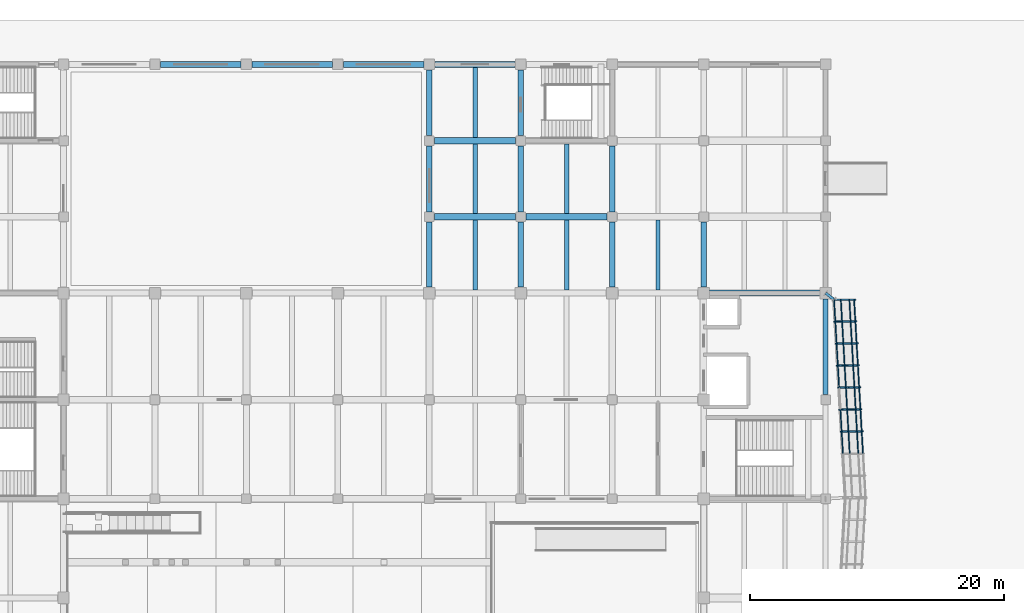
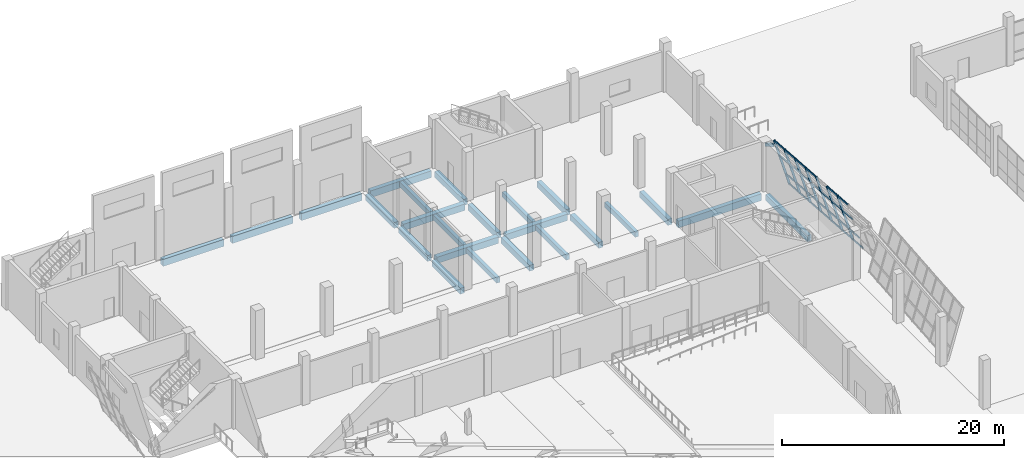
# One storey, part 32 of 78: 34 members, 25 beams, 1 element without a shape of its own.
"""IFC4 building model written with IfcOpenShell, lengths in metres."""

import ifcopenshell
import ifcopenshell.guid

model = None  # the IFC model being written
_history = None  # IfcOwnerHistory: only IFC2X3 demands one
_inside = {}  # id of a spatial element -> (the spatial element, [elements in it])
_under = {}  # id of a project, library or spatial element -> (it, [spatial elements below it])
_declared = {}  # id of a project -> (the project, [libraries it declares])
_typed = {}  # id of a type object -> (the type object, [elements of that type])
_made_of = {}  # id of a material, layer set ... -> (it, [elements and type objects made of it])


def new_model(schema):
    """Start an empty IFC model of exactly this schema.

    Asked for "IFC4X3", IfcOpenShell would pick the latest addendum, in which some entities
    have other attributes; the version numbers below select the first issue.
    IFC2X3 requires an IfcOwnerHistory on every rooted entity: one is made here for all.
    """
    global model, _history
    if schema == "IFC4X3":
        model = ifcopenshell.file(schema_version=(4, 3, 0, 0))
    else:
        model = ifcopenshell.file(schema=schema)
    _inside.clear()
    _under.clear()
    _declared.clear()
    _typed.clear()
    _made_of.clear()
    _history = None
    if model.schema == "IFC2X3":
        org = make("IfcOrganization", Name="unknown")
        user = make(
            "IfcPersonAndOrganization",
            ThePerson=make("IfcPerson", FamilyName="unknown"),
            TheOrganization=org,
        )
        app = make(
            "IfcApplication",
            ApplicationDeveloper=org,
            Version="unknown",
            ApplicationFullName="unknown",
            ApplicationIdentifier="unknown",
        )
        _history = make(
            "IfcOwnerHistory",
            OwningUser=user,
            OwningApplication=app,
            ChangeAction="ADDED",
            CreationDate=0,
        )
    return model


def make(cls, **values):
    """One entity of the class cls with the attributes given. An attribute that is None is left unset."""
    return model.create_entity(
        cls, **{name: value for name, value in values.items() if value is not None}
    )


def rooted(cls, **values):
    """An entity with a GlobalId (a new one), such as an element, a storey or a relation."""
    return make(cls, GlobalId=ifcopenshell.guid.new(), OwnerHistory=_history, **values)


def si_unit(unit_type, name, prefix=None):
    """IfcSIUnit, for example si_unit("LENGTHUNIT", "METRE", prefix="MILLI")."""
    return make("IfcSIUnit", UnitType=unit_type, Prefix=prefix, Name=name)


def assignment(units):
    """IfcUnitAssignment: the units of a project."""
    return None if units is None else make("IfcUnitAssignment", Units=units)


def point(xyz):
    """IfcCartesianPoint."""
    return None if xyz is None else make("IfcCartesianPoint", Coordinates=xyz)


def direction(xyz):
    """IfcDirection."""
    return None if xyz is None else make("IfcDirection", DirectionRatios=xyz)


def frame(location, z_axis=None, x_axis=None):
    """IfcAxis2Placement3D, a coordinate frame: its origin and axes. An axis left out is left unset."""
    return make(
        "IfcAxis2Placement3D",
        Location=point(location),
        Axis=direction(z_axis),
        RefDirection=direction(x_axis),
    )


def frame_2d(location, x_axis=None):
    """IfcAxis2Placement2D, a coordinate frame in the plane: its origin and x axis."""
    return make(
        "IfcAxis2Placement2D", Location=point(location), RefDirection=direction(x_axis)
    )


def origin():
    """The frame at (0, 0, 0) with its axes left unset."""
    return frame((0.0, 0.0, 0.0))


def origin_2d():
    """The frame at (0, 0) in the plane with its x axis left unset."""
    return frame_2d((0.0, 0.0))


def place(relative_to, where):
    """IfcLocalPlacement: puts the frame where relative to a parent placement (None: the world)."""
    return make(
        "IfcLocalPlacement", PlacementRelTo=relative_to, RelativePlacement=where
    )


def context(
    kind, dimensions, precision=None, world=None, true_north=None, identifier=None
):
    """IfcGeometricRepresentationContext, for example the 3D "Model" context."""
    return make(
        "IfcGeometricRepresentationContext",
        ContextIdentifier=identifier,
        ContextType=kind,
        CoordinateSpaceDimension=dimensions,
        Precision=precision,
        WorldCoordinateSystem=world,
        TrueNorth=true_north,
    )


def subcontext(parent, identifier, kind, view, scale=None):
    """IfcGeometricRepresentationSubContext, for example "Body" below "Model"."""
    return make(
        "IfcGeometricRepresentationSubContext",
        ContextIdentifier=identifier,
        ContextType=kind,
        ParentContext=parent,
        TargetScale=scale,
        TargetView=view,
    )


def project(units=None, contexts=None):
    """IfcProject with its units and contexts."""
    return rooted(
        "IfcProject",
        Name="project",
        RepresentationContexts=contexts,
        UnitsInContext=assignment(units),
    )


def spatial(cls, under=None, at=None, **own):
    """A site, building, storey or space (cls), placed at a placement, below another one or the project."""
    s = rooted(cls, ObjectPlacement=at, **own)
    if under is not None:
        _under.setdefault(under.id(), (under, []))[1].append(s)
    return s


def profile(cls, at=None, kind="AREA", **sizes):
    """A parametric profile (cls). Its sizes go by their IFC names, for example OverallWidth=200.0."""
    return make(cls, ProfileType=kind, Position=at, **sizes)


def rectangle(**sizes):
    """IfcRectangleProfileDef."""
    return profile("IfcRectangleProfileDef", **sizes)


def hollow_rectangle(**sizes):
    """IfcRectangleHollowProfileDef."""
    return profile("IfcRectangleHollowProfileDef", **sizes)


def extrude(swept, where, along, depth):
    """IfcExtrudedAreaSolid: the profile swept, set in the frame where, extruded along a direction by depth."""
    return make(
        "IfcExtrudedAreaSolid",
        SweptArea=swept,
        Position=where,
        ExtrudedDirection=direction(along),
        Depth=depth,
    )


def shape(context_of_items, identifier, shape_type, items):
    """IfcShapeRepresentation: the items that make up one representation, for example the "Body"."""
    return make(
        "IfcShapeRepresentation",
        ContextOfItems=context_of_items,
        RepresentationIdentifier=identifier,
        RepresentationType=shape_type,
        Items=items,
    )


def material(Name=None, Category=None):
    """IfcMaterial."""
    return make("IfcMaterial", Name=Name, Category=Category)


def material_profile(
    of_material, cross_section, Name=None, Category=None, Priority=None
):
    """IfcMaterialProfile: a cross section and its material."""
    return make(
        "IfcMaterialProfile",
        Name=Name,
        Material=of_material,
        Profile=cross_section,
        Priority=Priority,
        Category=Category,
    )


def profile_set(profiles, Name=None, composite=None):
    """IfcMaterialProfileSet."""
    return make(
        "IfcMaterialProfileSet",
        Name=Name,
        MaterialProfiles=profiles,
        CompositeProfile=composite,
    )


def made_of(thing, what):
    """Note that an element or type object is made of a material, layer set ...; save() writes the relation."""
    if what is not None:
        _made_of.setdefault(what.id(), (what, []))[1].append(thing)
    return thing


def type_object(cls, material=None, **own):
    """A type object (cls), such as IfcWallType, which elements share."""
    return made_of(rooted(cls, **own), material)


def element(
    cls,
    number,
    at=None,
    inside=None,
    cuts=None,
    type_object=None,
    material=None,
    context=None,
    identifier="Body",
    shape_type=None,
    held_by="IfcProductDefinitionShape",
    body=None,
    shapes=None,
    **own,
):
    """One element of the class cls, such as IfcWall. Its Tag is "e" and its number.

    at: its placement. inside: the storey or other place that contains it. cuts: it is an
    opening in that element (IfcRelVoidsElement). A single representation is given by context,
    identifier, shape_type and body (its items); several are given by shapes. held_by: the class
    of the entity that holds the representations. save() writes the other relations.
    """
    e = rooted(cls, Tag="e%d" % number, ObjectPlacement=at, **own)
    if body is not None:
        shapes = [shape(context, identifier, shape_type, body)]
    if shapes is not None:
        e.Representation = make(held_by, Representations=shapes)
    if inside is not None:
        _inside.setdefault(inside.id(), (inside, []))[1].append(e)
    if cuts is not None:
        rooted(
            "IfcRelVoidsElement", RelatingBuildingElement=cuts, RelatedOpeningElement=e
        )
    if type_object is not None:
        _typed.setdefault(type_object.id(), (type_object, []))[1].append(e)
    return made_of(e, material)


def aggregate(whole, parts):
    """IfcRelAggregates: a whole, such as a stair, and the parts it consists of."""
    return rooted("IfcRelAggregates", RelatingObject=whole, RelatedObjects=parts)


def save(model, path):
    """Write the relations noted so far, then the file.

    IfcRelAggregates (storeys below a building ...), IfcRelContainedInSpatialStructure (elements
    in a storey), IfcRelDefinesByType, IfcRelAssociatesMaterial and IfcRelDeclares: one each for
    every whole, place, type object, material and project.
    """
    for whole, parts in _under.values():
        aggregate(whole, parts)
    for where, things in _inside.values():
        rooted(
            "IfcRelContainedInSpatialStructure",
            RelatedElements=things,
            RelatingStructure=where,
        )
    for kind, things in _typed.values():
        rooted("IfcRelDefinesByType", RelatedObjects=things, RelatingType=kind)
    for what, things in _made_of.values():
        rooted("IfcRelAssociatesMaterial", RelatedObjects=things, RelatingMaterial=what)
    for by, libraries in _declared.values():
        rooted("IfcRelDeclares", RelatingContext=by, RelatedDefinitions=libraries)
    model.write(path)


model = new_model("IFC4")

# Units and contexts
model_context = context("Model", 3, precision=1e-05, world=origin(), true_north=direction((0.0, 1.0)))
body_context = subcontext(model_context, "Body", "Model", "MODEL_VIEW")
ifc_project = project(units=[si_unit("LENGTHUNIT", "METRE"), si_unit("AREAUNIT", "SQUARE_METRE"), si_unit("VOLUMEUNIT", "CUBIC_METRE"), si_unit("PLANEANGLEUNIT", "RADIAN"), si_unit("MASSUNIT", "GRAM", prefix="KILO")], contexts=[model_context])

# Site, building, storey
site_placement = place(None, origin())
site = spatial("IfcSite", under=ifc_project, at=site_placement, CompositionType="ELEMENT")
building_placement = place(site_placement, origin())
building = spatial("IfcBuilding", under=site, at=building_placement, Name="Pellamere Symphony Hall", CompositionType="ELEMENT")
storey_placement = place(building_placement, origin())
storey = spatial("IfcBuildingStorey", under=building, at=storey_placement, Name="L00", CompositionType="ELEMENT", Elevation=0.0)

# Curtain wall, members
ifc_material_1 = material(Name="Thermally Broken Anodised Aluminium 6063-T6 Curtain Wall", Category="aluminium")
curtain_wall_type = type_object("IfcCurtainWallType", Name="Curtain Wall CW-01 (Tilted Faceted Crystal Low-Iron Curtain Wall)", PredefinedType="NOTDEFINED", material=ifc_material_1)
curtain_wall_placement = place(storey_placement, origin())
curtain_wall = element("IfcCurtainWall", 1, at=curtain_wall_placement, inside=storey, type_object=curtain_wall_type, Name="Crystal Faceted Curtain Wall CW-CR09 (L00)", PredefinedType="NOTDEFINED")
ifc_material_2 = material(Name="Anodised Architectural Aluminium 6063-T6", Category="aluminium")
ifc_material_profile_1 = material_profile(ifc_material_2, hollow_rectangle(XDim=0.074951171875, YDim=0.219970703125, WallThickness=0.0048828125, at=origin_2d()), Name="ALU-M75X220X5")
ifc_profile_set_1 = profile_set([ifc_material_profile_1], Name="Anodised Architectural Aluminium 6063-T6")
member_type_1 = type_object("IfcMemberType", Name="Curtain Wall Mullion ML-01 ALU-M75X220X5", PredefinedType="MULLION", material=ifc_profile_set_1)
member_1_placement = place(storey_placement, frame((121.649658203125, 82.699951171875, 0.0), z_axis=(-0.284029290042, 0.0, 0.958815603961), x_axis=(-0.055224456577, 0.998339941676, -0.01635910297)))
member_1 = element("IfcMember", 2, at=member_1_placement, type_object=member_type_1, Name="CW1-017 crystal mullion 4", PredefinedType="MULLION", context=body_context, shape_type="SweptSolid", body=[
    extrude(hollow_rectangle(XDim=0.074951171875, YDim=0.219970703125, WallThickness=0.0048828125, at=origin_2d()), origin(), (0.0, 0.0, 1.0), 5.6318359375),
])
member_2_placement = place(storey_placement, frame((121.549560546875, 84.433349609375, 0.0), z_axis=(-0.284029290042, 0.0, 0.958815603961), x_axis=(-0.055224456577, 0.998339941676, -0.01635910297)))
member_2 = element("IfcMember", 3, at=member_2_placement, type_object=member_type_1, Name="CW1-017 crystal mullion 5", PredefinedType="MULLION", context=body_context, shape_type="SweptSolid", body=[
    extrude(hollow_rectangle(XDim=0.074951171875, YDim=0.219970703125, WallThickness=0.0048828125, at=origin_2d()), origin(), (0.0, 0.0, 1.0), 5.6318359375),
])
member_3_placement = place(storey_placement, frame((121.44970703125, 86.166748046875, 0.0), z_axis=(-0.284029290042, 0.0, 0.958815603961), x_axis=(-0.055224456577, 0.998339941676, -0.01635910297)))
member_3 = element("IfcMember", 4, at=member_3_placement, type_object=member_type_1, Name="CW1-017 crystal mullion 6", PredefinedType="MULLION", context=body_context, shape_type="SweptSolid", body=[
    extrude(hollow_rectangle(XDim=0.074951171875, YDim=0.219970703125, WallThickness=0.0048828125, at=origin_2d()), origin(), (0.0, 0.0, 1.0), 5.6318359375),
])
member_4_placement = place(storey_placement, frame((121.349609375, 87.89990234375, 0.0), z_axis=(-0.284029290042, 0.0, 0.958815603961), x_axis=(-0.055224456577, 0.998339941676, -0.01635910297)))
member_4 = element("IfcMember", 5, at=member_4_placement, type_object=member_type_1, Name="CW1-017 crystal mullion 7", PredefinedType="MULLION", context=body_context, shape_type="SweptSolid", body=[
    extrude(hollow_rectangle(XDim=0.074951171875, YDim=0.219970703125, WallThickness=0.0048828125, at=origin_2d()), origin(), (0.0, 0.0, 1.0), 5.6318359375),
])
member_5_placement = place(storey_placement, frame((121.24951171875, 89.63330078125, 0.0), z_axis=(-0.284029290042, 0.0, 0.958815603961), x_axis=(-0.055224456577, 0.998339941676, -0.01635910297)))
member_5 = element("IfcMember", 6, at=member_5_placement, type_object=member_type_1, Name="CW1-017 crystal mullion 8", PredefinedType="MULLION", context=body_context, shape_type="SweptSolid", body=[
    extrude(hollow_rectangle(XDim=0.074951171875, YDim=0.219970703125, WallThickness=0.0048828125, at=origin_2d()), origin(), (0.0, 0.0, 1.0), 5.6318359375),
])
member_6_placement = place(storey_placement, frame((121.149658203125, 91.36669921875, 0.0), z_axis=(-0.284029290042, 0.0, 0.958815603961), x_axis=(-0.055224456577, 0.998339941676, -0.01635910297)))
member_6 = element("IfcMember", 7, at=member_6_placement, type_object=member_type_1, Name="CW1-017 crystal mullion 9", PredefinedType="MULLION", context=body_context, shape_type="SweptSolid", body=[
    extrude(hollow_rectangle(XDim=0.074951171875, YDim=0.219970703125, WallThickness=0.0048828125, at=origin_2d()), origin(), (0.0, 0.0, 1.0), 5.6318359375),
])
member_7_placement = place(storey_placement, frame((121.0517578125, 93.0625, 0.0), z_axis=(-0.284029290042, 0.0, 0.958815603961), x_axis=(-0.055224456577, 0.998339941676, -0.01635910297)))
member_7 = element("IfcMember", 8, at=member_7_placement, type_object=member_type_1, Name="CW1-017 crystal mullion 10", PredefinedType="MULLION", context=body_context, shape_type="SweptSolid", body=[
    extrude(hollow_rectangle(XDim=0.074951171875, YDim=0.219970703125, WallThickness=0.0048828125, at=origin_2d()), origin(), (0.0, 0.0, 1.0), 5.6318359375),
])
ifc_material_profile_2 = material_profile(ifc_material_2, hollow_rectangle(XDim=0.074951171875, YDim=0.179931640625, WallThickness=0.0048828125, at=origin_2d()), Name="ALU-T75X180X5")
ifc_profile_set_2 = profile_set([ifc_material_profile_2], Name="Anodised Architectural Aluminium 6063-T6")
member_type_2 = type_object("IfcMemberType", Name="Curtain Wall Transom TR-01 ALU-T75X180X5", PredefinedType="USERDEFINED", material=ifc_profile_set_2)
member_8_placement = place(storey_placement, frame((121.73681640625, 81.004150390625, 0.035888671875), z_axis=(-0.057610619545, 0.998339129012, 0.0), x_axis=(-0.998339129012, -0.057610619545, 0.0)))
member_8 = element("IfcMember", 9, at=member_8_placement, type_object=member_type_2, Name="CW1-017 crystal transom 3.1", ObjectType="TRANSOM", PredefinedType="USERDEFINED", context=body_context, shape_type="SweptSolid", body=[
    extrude(hollow_rectangle(XDim=0.074951171875, YDim=0.179931640625, WallThickness=0.0048828125, at=origin_2d()), origin(), (0.0, 0.0, 1.0), 1.6611328125),
])
member_9_placement = place(storey_placement, frame((121.363525390625, 81.004150390625, 1.2958984375), z_axis=(-0.057610619545, 0.998339129012, 0.0), x_axis=(-0.998339129012, -0.057610619545, 0.0)))
member_9 = element("IfcMember", 10, at=member_9_placement, type_object=member_type_2, Name="CW1-017 crystal transom 3.2", ObjectType="TRANSOM", PredefinedType="USERDEFINED", context=body_context, shape_type="SweptSolid", body=[
    extrude(hollow_rectangle(XDim=0.074951171875, YDim=0.179931640625, WallThickness=0.0048828125, at=origin_2d()), origin(), (0.0, 0.0, 1.0), 1.6611328125),
])
member_10_placement = place(storey_placement, frame((120.691650390625, 81.004150390625, 3.56396484375), z_axis=(-0.057610619545, 0.998339129012, 0.0), x_axis=(-0.998339129012, -0.057610619545, 0.0)))
member_10 = element("IfcMember", 11, at=member_10_placement, type_object=member_type_2, Name="CW1-017 crystal transom 3.3", ObjectType="TRANSOM", PredefinedType="USERDEFINED", context=body_context, shape_type="SweptSolid", body=[
    extrude(hollow_rectangle(XDim=0.074951171875, YDim=0.179931640625, WallThickness=0.0048828125, at=origin_2d()), origin(), (0.0, 0.0, 1.0), 1.6611328125),
])
member_11_placement = place(storey_placement, frame((120.158447265625, 81.004150390625, 5.364013671875), z_axis=(-0.057610619545, 0.998339129012, 0.0), x_axis=(-0.998339129012, -0.057610619545, 0.0)))
member_11 = element("IfcMember", 12, at=member_11_placement, type_object=member_type_2, Name="CW1-017 crystal transom 3.4", ObjectType="TRANSOM", PredefinedType="USERDEFINED", context=body_context, shape_type="SweptSolid", body=[
    extrude(hollow_rectangle(XDim=0.074951171875, YDim=0.179931640625, WallThickness=0.0048828125, at=origin_2d()), origin(), (0.0, 0.0, 1.0), 1.6611328125),
])
member_12_placement = place(storey_placement, frame((121.63671875, 82.737548828125, 0.035888671875), z_axis=(-0.057610619545, 0.998339129012, 0.0), x_axis=(-0.998339129012, -0.057610619545, 0.0)))
member_12 = element("IfcMember", 13, at=member_12_placement, type_object=member_type_2, Name="CW1-017 crystal transom 4.1", ObjectType="TRANSOM", PredefinedType="USERDEFINED", context=body_context, shape_type="SweptSolid", body=[
    extrude(hollow_rectangle(XDim=0.074951171875, YDim=0.179931640625, WallThickness=0.0048828125, at=origin_2d()), origin(), (0.0, 0.0, 1.0), 1.6611328125),
])
member_13_placement = place(storey_placement, frame((121.263427734375, 82.737548828125, 1.2958984375), z_axis=(-0.057464139598, 0.998347571069, 0.0), x_axis=(-0.998347571069, -0.057464139598, 0.0)))
member_13 = element("IfcMember", 14, at=member_13_placement, type_object=member_type_2, Name="CW1-017 crystal transom 4.2", ObjectType="TRANSOM", PredefinedType="USERDEFINED", context=body_context, shape_type="SweptSolid", body=[
    extrude(hollow_rectangle(XDim=0.074951171875, YDim=0.179931640625, WallThickness=0.0048828125, at=origin_2d()), origin(), (0.0, 0.0, 1.0), 1.6611328125),
])
member_14_placement = place(storey_placement, frame((120.591796875, 82.737548828125, 3.56396484375), z_axis=(-0.057610619545, 0.998339129012, 0.0), x_axis=(-0.998339129012, -0.057610619545, 0.0)))
member_14 = element("IfcMember", 15, at=member_14_placement, type_object=member_type_2, Name="CW1-017 crystal transom 4.3", ObjectType="TRANSOM", PredefinedType="USERDEFINED", context=body_context, shape_type="SweptSolid", body=[
    extrude(hollow_rectangle(XDim=0.074951171875, YDim=0.179931640625, WallThickness=0.0048828125, at=origin_2d()), origin(), (0.0, 0.0, 1.0), 1.6611328125),
])
member_15_placement = place(storey_placement, frame((120.05859375, 82.737548828125, 5.364013671875), z_axis=(-0.057610619545, 0.998339129012, 0.0), x_axis=(-0.998339129012, -0.057610619545, 0.0)))
member_15 = element("IfcMember", 16, at=member_15_placement, type_object=member_type_2, Name="CW1-017 crystal transom 4.4", ObjectType="TRANSOM", PredefinedType="USERDEFINED", context=body_context, shape_type="SweptSolid", body=[
    extrude(hollow_rectangle(XDim=0.074951171875, YDim=0.179931640625, WallThickness=0.0048828125, at=origin_2d()), origin(), (0.0, 0.0, 1.0), 1.6611328125),
])
member_16_placement = place(storey_placement, frame((121.536865234375, 84.470703125, 0.035888671875), z_axis=(-0.057610619545, 0.998339129012, 0.0), x_axis=(-0.998339129012, -0.057610619545, 0.0)))
member_16 = element("IfcMember", 17, at=member_16_placement, type_object=member_type_2, Name="CW1-017 crystal transom 5.1", ObjectType="TRANSOM", PredefinedType="USERDEFINED", context=body_context, shape_type="SweptSolid", body=[
    extrude(hollow_rectangle(XDim=0.074951171875, YDim=0.179931640625, WallThickness=0.0048828125, at=origin_2d()), origin(), (0.0, 0.0, 1.0), 1.6611328125),
])
member_17_placement = place(storey_placement, frame((121.16357421875, 84.470703125, 1.2958984375), z_axis=(-0.057610619545, 0.998339129012, 0.0), x_axis=(-0.998339129012, -0.057610619545, 0.0)))
member_17 = element("IfcMember", 18, at=member_17_placement, type_object=member_type_2, Name="CW1-017 crystal transom 5.2", ObjectType="TRANSOM", PredefinedType="USERDEFINED", context=body_context, shape_type="SweptSolid", body=[
    extrude(hollow_rectangle(XDim=0.074951171875, YDim=0.179931640625, WallThickness=0.0048828125, at=origin_2d()), origin(), (0.0, 0.0, 1.0), 1.6611328125),
])
member_18_placement = place(storey_placement, frame((120.49169921875, 84.470703125, 3.56396484375), z_axis=(-0.057610619545, 0.998339129012, 0.0), x_axis=(-0.998339129012, -0.057610619545, 0.0)))
member_18 = element("IfcMember", 19, at=member_18_placement, type_object=member_type_2, Name="CW1-017 crystal transom 5.3", ObjectType="TRANSOM", PredefinedType="USERDEFINED", context=body_context, shape_type="SweptSolid", body=[
    extrude(hollow_rectangle(XDim=0.074951171875, YDim=0.179931640625, WallThickness=0.0048828125, at=origin_2d()), origin(), (0.0, 0.0, 1.0), 1.6611328125),
])
member_19_placement = place(storey_placement, frame((121.436767578125, 86.2041015625, 0.035888671875), z_axis=(-0.057610619545, 0.998339129012, 0.0), x_axis=(-0.998339129012, -0.057610619545, 0.0)))
member_19 = element("IfcMember", 20, at=member_19_placement, type_object=member_type_2, Name="CW1-017 crystal transom 6.1", ObjectType="TRANSOM", PredefinedType="USERDEFINED", context=body_context, shape_type="SweptSolid", body=[
    extrude(hollow_rectangle(XDim=0.074951171875, YDim=0.179931640625, WallThickness=0.0048828125, at=origin_2d()), origin(), (0.0, 0.0, 1.0), 1.6611328125),
])
member_20_placement = place(storey_placement, frame((121.0634765625, 86.2041015625, 1.2958984375), z_axis=(-0.057610619545, 0.998339129012, 0.0), x_axis=(-0.998339129012, -0.057610619545, 0.0)))
member_20 = element("IfcMember", 21, at=member_20_placement, type_object=member_type_2, Name="CW1-017 crystal transom 6.2", ObjectType="TRANSOM", PredefinedType="USERDEFINED", context=body_context, shape_type="SweptSolid", body=[
    extrude(hollow_rectangle(XDim=0.074951171875, YDim=0.179931640625, WallThickness=0.0048828125, at=origin_2d()), origin(), (0.0, 0.0, 1.0), 1.6611328125),
])
member_21_placement = place(storey_placement, frame((120.3916015625, 86.2041015625, 3.56396484375), z_axis=(-0.057464139598, 0.998347571069, 0.0), x_axis=(-0.998347571069, -0.057464139598, 0.0)))
member_21 = element("IfcMember", 22, at=member_21_placement, type_object=member_type_2, Name="CW1-017 crystal transom 6.3", ObjectType="TRANSOM", PredefinedType="USERDEFINED", context=body_context, shape_type="SweptSolid", body=[
    extrude(hollow_rectangle(XDim=0.074951171875, YDim=0.179931640625, WallThickness=0.0048828125, at=origin_2d()), origin(), (0.0, 0.0, 1.0), 1.6611328125),
])
member_22_placement = place(storey_placement, frame((119.8583984375, 86.2041015625, 5.364013671875), z_axis=(-0.057610619545, 0.998339129012, 0.0), x_axis=(-0.998339129012, -0.057610619545, 0.0)))
member_22 = element("IfcMember", 23, at=member_22_placement, type_object=member_type_2, Name="CW1-017 crystal transom 6.4", ObjectType="TRANSOM", PredefinedType="USERDEFINED", context=body_context, shape_type="SweptSolid", body=[
    extrude(hollow_rectangle(XDim=0.074951171875, YDim=0.179931640625, WallThickness=0.0048828125, at=origin_2d()), origin(), (0.0, 0.0, 1.0), 1.6611328125),
])
member_23_placement = place(storey_placement, frame((121.336669921875, 87.9375, 0.035888671875), z_axis=(-0.057464139598, 0.998347571069, 0.0), x_axis=(-0.998347571069, -0.057464139598, 0.0)))
member_23 = element("IfcMember", 24, at=member_23_placement, type_object=member_type_2, Name="CW1-017 crystal transom 7.1", ObjectType="TRANSOM", PredefinedType="USERDEFINED", context=body_context, shape_type="SweptSolid", body=[
    extrude(hollow_rectangle(XDim=0.074951171875, YDim=0.179931640625, WallThickness=0.0048828125, at=origin_2d()), origin(), (0.0, 0.0, 1.0), 1.6611328125),
])
member_24_placement = place(storey_placement, frame((120.963623046875, 87.9375, 1.2958984375), z_axis=(-0.057610619545, 0.998339129012, 0.0), x_axis=(-0.998339129012, -0.057610619545, 0.0)))
member_24 = element("IfcMember", 25, at=member_24_placement, type_object=member_type_2, Name="CW1-017 crystal transom 7.2", ObjectType="TRANSOM", PredefinedType="USERDEFINED", context=body_context, shape_type="SweptSolid", body=[
    extrude(hollow_rectangle(XDim=0.074951171875, YDim=0.179931640625, WallThickness=0.0048828125, at=origin_2d()), origin(), (0.0, 0.0, 1.0), 1.6611328125),
])
member_25_placement = place(storey_placement, frame((120.291748046875, 87.9375, 3.56396484375), z_axis=(-0.057610619545, 0.998339129012, 0.0), x_axis=(-0.998339129012, -0.057610619545, 0.0)))
member_25 = element("IfcMember", 26, at=member_25_placement, type_object=member_type_2, Name="CW1-017 crystal transom 7.3", ObjectType="TRANSOM", PredefinedType="USERDEFINED", context=body_context, shape_type="SweptSolid", body=[
    extrude(hollow_rectangle(XDim=0.074951171875, YDim=0.179931640625, WallThickness=0.0048828125, at=origin_2d()), origin(), (0.0, 0.0, 1.0), 1.6611328125),
])
member_26_placement = place(storey_placement, frame((119.758544921875, 87.9375, 5.364013671875), z_axis=(-0.057610619545, 0.998339129012, 0.0), x_axis=(-0.998339129012, -0.057610619545, 0.0)))
member_26 = element("IfcMember", 27, at=member_26_placement, type_object=member_type_2, Name="CW1-017 crystal transom 7.4", ObjectType="TRANSOM", PredefinedType="USERDEFINED", context=body_context, shape_type="SweptSolid", body=[
    extrude(hollow_rectangle(XDim=0.074951171875, YDim=0.179931640625, WallThickness=0.0048828125, at=origin_2d()), origin(), (0.0, 0.0, 1.0), 1.6611328125),
])
member_27_placement = place(storey_placement, frame((121.23681640625, 89.670654296875, 0.035888671875), z_axis=(-0.057602168051, 0.998339616682, 0.0), x_axis=(-0.998339616682, -0.057602168051, 0.0)))
member_27 = element("IfcMember", 28, at=member_27_placement, type_object=member_type_2, Name="CW1-017 crystal transom 8.1", ObjectType="TRANSOM", PredefinedType="USERDEFINED", context=body_context, shape_type="SweptSolid", body=[
    extrude(hollow_rectangle(XDim=0.074951171875, YDim=0.179931640625, WallThickness=0.0048828125, at=origin_2d()), origin(), (0.0, 0.0, 1.0), 1.661376953125),
])
member_28_placement = place(storey_placement, frame((120.863525390625, 89.670654296875, 1.2958984375), z_axis=(-0.057602168051, 0.998339616682, 0.0), x_axis=(-0.998339616682, -0.057602168051, 0.0)))
member_28 = element("IfcMember", 29, at=member_28_placement, type_object=member_type_2, Name="CW1-017 crystal transom 8.2", ObjectType="TRANSOM", PredefinedType="USERDEFINED", context=body_context, shape_type="SweptSolid", body=[
    extrude(hollow_rectangle(XDim=0.074951171875, YDim=0.179931640625, WallThickness=0.0048828125, at=origin_2d()), origin(), (0.0, 0.0, 1.0), 1.661376953125),
])
member_29_placement = place(storey_placement, frame((120.191650390625, 89.670654296875, 3.56396484375), z_axis=(-0.057602168051, 0.998339616682, 0.0), x_axis=(-0.998339616682, -0.057602168051, 0.0)))
member_29 = element("IfcMember", 30, at=member_29_placement, type_object=member_type_2, Name="CW1-017 crystal transom 8.3", ObjectType="TRANSOM", PredefinedType="USERDEFINED", context=body_context, shape_type="SweptSolid", body=[
    extrude(hollow_rectangle(XDim=0.074951171875, YDim=0.179931640625, WallThickness=0.0048828125, at=origin_2d()), origin(), (0.0, 0.0, 1.0), 1.661376953125),
])
member_30_placement = place(storey_placement, frame((119.658447265625, 89.670654296875, 5.364013671875), z_axis=(-0.057602168051, 0.998339616682, 0.0), x_axis=(-0.998339616682, -0.057602168051, 0.0)))
member_30 = element("IfcMember", 31, at=member_30_placement, type_object=member_type_2, Name="CW1-017 crystal transom 8.4", ObjectType="TRANSOM", PredefinedType="USERDEFINED", context=body_context, shape_type="SweptSolid", body=[
    extrude(hollow_rectangle(XDim=0.074951171875, YDim=0.179931640625, WallThickness=0.0048828125, at=origin_2d()), origin(), (0.0, 0.0, 1.0), 1.661376953125),
])
member_31_placement = place(storey_placement, frame((121.13671875, 91.404052734375, 0.035888671875), z_axis=(-0.057585007883, 0.99834060664, 0.0), x_axis=(-0.99834060664, -0.057585007883, 0.0)))
member_31 = element("IfcMember", 32, at=member_31_placement, type_object=member_type_2, Name="CW1-017 crystal transom 9.1", ObjectType="TRANSOM", PredefinedType="USERDEFINED", context=body_context, shape_type="SweptSolid", body=[
    extrude(hollow_rectangle(XDim=0.074951171875, YDim=0.179931640625, WallThickness=0.0048828125, at=origin_2d()), origin(), (0.0, 0.0, 1.0), 1.623779296875),
])
member_32_placement = place(storey_placement, frame((120.763427734375, 91.404052734375, 1.2958984375), z_axis=(-0.057585007883, 0.99834060664, 0.0), x_axis=(-0.99834060664, -0.057585007883, 0.0)))
member_32 = element("IfcMember", 33, at=member_32_placement, type_object=member_type_2, Name="CW1-017 crystal transom 9.2", ObjectType="TRANSOM", PredefinedType="USERDEFINED", context=body_context, shape_type="SweptSolid", body=[
    extrude(hollow_rectangle(XDim=0.074951171875, YDim=0.179931640625, WallThickness=0.0048828125, at=origin_2d()), origin(), (0.0, 0.0, 1.0), 1.623779296875),
])
member_33_placement = place(storey_placement, frame((120.091796875, 91.404052734375, 3.56396484375), z_axis=(-0.057585007883, 0.99834060664, 0.0), x_axis=(-0.99834060664, -0.057585007883, 0.0)))
member_33 = element("IfcMember", 34, at=member_33_placement, type_object=member_type_2, Name="CW1-017 crystal transom 9.3", ObjectType="TRANSOM", PredefinedType="USERDEFINED", context=body_context, shape_type="SweptSolid", body=[
    extrude(hollow_rectangle(XDim=0.074951171875, YDim=0.179931640625, WallThickness=0.0048828125, at=origin_2d()), origin(), (0.0, 0.0, 1.0), 1.623779296875),
])
member_34_placement = place(storey_placement, frame((119.55859375, 91.404052734375, 5.364013671875), z_axis=(-0.057585007883, 0.99834060664, 0.0), x_axis=(-0.99834060664, -0.057585007883, 0.0)))
member_34 = element("IfcMember", 35, at=member_34_placement, type_object=member_type_2, Name="CW1-017 crystal transom 9.4", ObjectType="TRANSOM", PredefinedType="USERDEFINED", context=body_context, shape_type="SweptSolid", body=[
    extrude(hollow_rectangle(XDim=0.074951171875, YDim=0.179931640625, WallThickness=0.0048828125, at=origin_2d()), origin(), (0.0, 0.0, 1.0), 1.623779296875),
])
aggregate(curtain_wall, [member_1, member_2, member_3, member_4, member_5, member_6, member_7, member_8, member_9, member_10, member_11, member_12, member_13, member_14, member_15, member_16, member_17, member_18, member_19, member_20, member_21, member_22, member_23, member_24, member_25, member_26, member_27, member_28, member_29, member_30, member_31, member_32, member_33, member_34])

# Beams
ifc_material_3 = material(Name="Concrete 40 MPa", Category="concrete")
ifc_material_profile_3 = material_profile(ifc_material_3, rectangle(XDim=0.5, YDim=0.699951171875, at=origin_2d()), Name="RC 500x700")
ifc_profile_set_3 = profile_set([ifc_material_profile_3], Name="Concrete 40 MPa")
beam_type_1 = type_object("IfcBeamType", Name="RC CB-07 500x700", PredefinedType="BEAM", material=ifc_profile_set_3)
beam_1_placement = place(storey_placement, frame((88.0, 99.60009765625, -0.64990234375), z_axis=(1.0, 0.0, 0.0), x_axis=(0.0, 1.0, 0.0)))
element("IfcBeam", 36, at=beam_1_placement, inside=storey, type_object=beam_type_1, Name="Girder CB-07-X0175 (L00)", PredefinedType="BEAM", context=body_context, shape_type="SweptSolid", body=[
    extrude(rectangle(XDim=0.5, YDim=0.699951171875, at=origin_2d()), origin(), (0.0, 0.0, 1.0), 6.39990234375),
])
beam_2_placement = place(storey_placement, frame((95.199951171875, 99.60009765625, -0.64990234375), z_axis=(1.0, 0.0, 0.0), x_axis=(0.0, 1.0, 0.0)))
element("IfcBeam", 37, at=beam_2_placement, inside=storey, type_object=beam_type_1, Name="Girder CB-07-X0176 (L00)", PredefinedType="BEAM", context=body_context, shape_type="SweptSolid", body=[
    extrude(rectangle(XDim=0.5, YDim=0.699951171875, at=origin_2d()), origin(), (0.0, 0.0, 1.0), 6.400146484375),
])
beam_3_placement = place(storey_placement, frame((88.0, 105.60009765625, -0.64990234375), z_axis=(1.0, 0.0, 0.0), x_axis=(0.0, 1.0, 0.0)))
element("IfcBeam", 38, at=beam_3_placement, inside=storey, type_object=beam_type_1, Name="Girder CB-07-X0184 (L00)", PredefinedType="BEAM", context=body_context, shape_type="SweptSolid", body=[
    extrude(rectangle(XDim=0.5, YDim=0.699951171875, at=origin_2d()), origin(), (0.0, 0.0, 1.0), 6.39990234375),
])
ifc_material_profile_4 = material_profile(ifc_material_3, rectangle(XDim=0.449951171875, YDim=0.64990234375, at=origin_2d()), Name="RC 450x650")
ifc_profile_set_4 = profile_set([ifc_material_profile_4], Name="Concrete 40 MPa")
beam_type_2 = type_object("IfcBeamType", Name="RC CB-08 450x650", PredefinedType="BEAM", material=ifc_profile_set_4)
beam_4_placement = place(storey_placement, frame((87.60009765625, 94.074951171875, -0.625), z_axis=(0.0, 1.0, 0.0), x_axis=(-1.0, 0.0, 0.0)))
element("IfcBeam", 39, at=beam_4_placement, inside=storey, type_object=beam_type_2, Name="Girder CB-08-Y0283 (L00)", PredefinedType="BEAM", context=body_context, shape_type="SweptSolid", body=[
    extrude(rectangle(XDim=0.449951171875, YDim=0.64990234375, at=origin_2d()), origin(), (0.0, 0.0, 1.0), 5.125),
])
beam_5_placement = place(storey_placement, frame((87.60009765625, 100.0, -0.625), z_axis=(0.0, 1.0, 0.0), x_axis=(-1.0, 0.0, 0.0)))
element("IfcBeam", 40, at=beam_5_placement, inside=storey, type_object=beam_type_2, Name="Girder CB-08-Y0284 (L00)", PredefinedType="BEAM", context=body_context, shape_type="SweptSolid", body=[
    extrude(rectangle(XDim=0.449951171875, YDim=0.64990234375, at=origin_2d()), origin(), (0.0, 0.0, 1.0), 5.199951171875),
])
beam_6_placement = place(storey_placement, frame((87.60009765625, 106.0, -0.625), z_axis=(0.0, 1.0, 0.0), x_axis=(-1.0, 0.0, 0.0)))
element("IfcBeam", 41, at=beam_6_placement, inside=storey, type_object=beam_type_2, Name="Girder CB-08-Y0285 (L00)", PredefinedType="BEAM", context=body_context, shape_type="SweptSolid", body=[
    extrude(rectangle(XDim=0.449951171875, YDim=0.64990234375, at=origin_2d()), origin(), (0.0, 0.0, 1.0), 5.159912109375),
])
beam_7_placement = place(storey_placement, frame((94.800048828125, 94.074951171875, -0.625), z_axis=(0.0, 1.0, 0.0), x_axis=(-1.0, 0.0, 0.0)))
element("IfcBeam", 42, at=beam_7_placement, inside=storey, type_object=beam_type_2, Name="Girder CB-08-Y0292 (L00)", PredefinedType="BEAM", context=body_context, shape_type="SweptSolid", body=[
    extrude(rectangle(XDim=0.449951171875, YDim=0.64990234375, at=origin_2d()), origin(), (0.0, 0.0, 1.0), 5.125),
])
beam_8_placement = place(storey_placement, frame((94.800048828125, 100.0, -0.625), z_axis=(0.0, 1.0, 0.0), x_axis=(-1.0, 0.0, 0.0)))
element("IfcBeam", 43, at=beam_8_placement, inside=storey, type_object=beam_type_2, Name="Girder CB-08-Y0293 (L00)", PredefinedType="BEAM", context=body_context, shape_type="SweptSolid", body=[
    extrude(rectangle(XDim=0.449951171875, YDim=0.64990234375, at=origin_2d()), origin(), (0.0, 0.0, 1.0), 5.199951171875),
])
beam_9_placement = place(storey_placement, frame((94.800048828125, 106.0, -0.625), z_axis=(0.0, 1.0, 0.0), x_axis=(-1.0, 0.0, 0.0)))
element("IfcBeam", 44, at=beam_9_placement, inside=storey, type_object=beam_type_2, Name="Girder CB-08-Y0294 (L00)", PredefinedType="BEAM", context=body_context, shape_type="SweptSolid", body=[
    extrude(rectangle(XDim=0.449951171875, YDim=0.64990234375, at=origin_2d()), origin(), (0.0, 0.0, 1.0), 5.159912109375),
])
beam_10_placement = place(storey_placement, frame((102.0, 94.074951171875, -0.625), z_axis=(0.0, 1.0, 0.0), x_axis=(-1.0, 0.0, 0.0)))
element("IfcBeam", 45, at=beam_10_placement, inside=storey, type_object=beam_type_2, Name="Girder CB-08-Y0301 (L00)", PredefinedType="BEAM", context=body_context, shape_type="SweptSolid", body=[
    extrude(rectangle(XDim=0.449951171875, YDim=0.64990234375, at=origin_2d()), origin(), (0.0, 0.0, 1.0), 5.125),
])
beam_11_placement = place(storey_placement, frame((102.0, 100.0, -0.625), z_axis=(0.0, 1.0, 0.0), x_axis=(-1.0, 0.0, 0.0)))
element("IfcBeam", 46, at=beam_11_placement, inside=storey, type_object=beam_type_2, Name="Girder CB-08-Y0302 (L00)", PredefinedType="BEAM", context=body_context, shape_type="SweptSolid", body=[
    extrude(rectangle(XDim=0.449951171875, YDim=0.64990234375, at=origin_2d()), origin(), (0.0, 0.0, 1.0), 5.199951171875),
])
beam_12_placement = place(storey_placement, frame((109.199951171875, 94.074951171875, -0.625), z_axis=(0.0, 1.0, 0.0), x_axis=(-1.0, 0.0, 0.0)))
element("IfcBeam", 47, at=beam_12_placement, inside=storey, type_object=beam_type_2, Name="Girder CB-08-Y0314 (L00)", PredefinedType="BEAM", context=body_context, shape_type="SweptSolid", body=[
    extrude(rectangle(XDim=0.449951171875, YDim=0.64990234375, at=origin_2d()), origin(), (0.0, 0.0, 1.0), 5.125),
])
ifc_material_4 = material(Name="Concrete 35 MPa", Category="concrete")
ifc_material_profile_5 = material_profile(ifc_material_4, rectangle(XDim=0.35009765625, YDim=0.550048828125, at=origin_2d()), Name="RC 350x550")
ifc_profile_set_5 = profile_set([ifc_material_profile_5], Name="Concrete 35 MPa")
beam_type_3 = type_object("IfcBeamType", Name="RC CB-10 350x550", PredefinedType="BEAM", material=ifc_profile_set_5)
beam_13_placement = place(storey_placement, frame((91.199951171875, 93.824951171875, -0.590087890625), z_axis=(0.0, 1.0, 0.0), x_axis=(-1.0, 0.0, 0.0)))
element("IfcBeam", 48, at=beam_13_placement, inside=storey, type_object=beam_type_3, Name="Secondary Floor Beam CB-10-M1112 (L00)", PredefinedType="BEAM", context=body_context, shape_type="SweptSolid", body=[
    extrude(rectangle(XDim=0.35009765625, YDim=0.550048828125, at=origin_2d()), origin(), (0.0, 0.0, 1.0), 5.525146484375),
])
beam_14_placement = place(storey_placement, frame((91.199951171875, 99.85009765625, -0.590087890625), z_axis=(0.0, 1.0, 0.0), x_axis=(-1.0, 0.0, 0.0)))
element("IfcBeam", 49, at=beam_14_placement, inside=storey, type_object=beam_type_3, Name="Secondary Floor Beam CB-10-M1113 (L00)", PredefinedType="BEAM", context=body_context, shape_type="SweptSolid", body=[
    extrude(rectangle(XDim=0.35009765625, YDim=0.550048828125, at=origin_2d()), origin(), (0.0, 0.0, 1.0), 5.5),
])
beam_15_placement = place(storey_placement, frame((91.199951171875, 105.85009765625, -0.590087890625), z_axis=(0.0, 1.0, 0.0), x_axis=(-1.0, 0.0, 0.0)))
element("IfcBeam", 50, at=beam_15_placement, inside=storey, type_object=beam_type_3, Name="Secondary Floor Beam CB-10-M1114 (L00)", PredefinedType="BEAM", context=body_context, shape_type="SweptSolid", body=[
    extrude(rectangle(XDim=0.35009765625, YDim=0.550048828125, at=origin_2d()), origin(), (0.0, 0.0, 1.0), 5.52490234375),
])
beam_16_placement = place(storey_placement, frame((98.39990234375, 93.824951171875, -0.590087890625), z_axis=(0.0, 1.0, 0.0), x_axis=(-1.0, 0.0, 0.0)))
element("IfcBeam", 51, at=beam_16_placement, inside=storey, type_object=beam_type_3, Name="Secondary Floor Beam CB-10-M1212 (L00)", PredefinedType="BEAM", context=body_context, shape_type="SweptSolid", body=[
    extrude(rectangle(XDim=0.35009765625, YDim=0.550048828125, at=origin_2d()), origin(), (0.0, 0.0, 1.0), 5.525146484375),
])
beam_17_placement = place(storey_placement, frame((98.39990234375, 99.85009765625, -0.590087890625), z_axis=(0.0, 1.0, 0.0), x_axis=(-1.0, 0.0, 0.0)))
element("IfcBeam", 52, at=beam_17_placement, inside=storey, type_object=beam_type_3, Name="Secondary Floor Beam CB-10-M1213 (L00)", PredefinedType="BEAM", context=body_context, shape_type="SweptSolid", body=[
    extrude(rectangle(XDim=0.35009765625, YDim=0.550048828125, at=origin_2d()), origin(), (0.0, 0.0, 1.0), 5.5),
])
beam_18_placement = place(storey_placement, frame((105.60009765625, 93.824951171875, -0.590087890625), z_axis=(0.0, 1.0, 0.0), x_axis=(-1.0, 0.0, 0.0)))
element("IfcBeam", 53, at=beam_18_placement, inside=storey, type_object=beam_type_3, Name="Secondary Floor Beam CB-10-M1312 (L00)", PredefinedType="BEAM", context=body_context, shape_type="SweptSolid", body=[
    extrude(rectangle(XDim=0.35009765625, YDim=0.550048828125, at=origin_2d()), origin(), (0.0, 0.0, 1.0), 5.525146484375),
])
ifc_material_profile_6 = material_profile(ifc_material_3, rectangle(XDim=0.449951171875, YDim=0.75, at=origin_2d()), Name="RC 450x750")
ifc_profile_set_6 = profile_set([ifc_material_profile_6], Name="Concrete 40 MPa")
beam_type_4 = type_object("IfcBeamType", Name="RC CB-12 450x750", PredefinedType="SPANDREL", material=ifc_profile_set_6)
beam_19_placement = place(storey_placement, frame((109.675048828125, 93.60009765625, -0.675048828125), z_axis=(1.0, 0.0, 0.0), x_axis=(0.0, 1.0, 0.0)))
element("IfcBeam", 54, at=beam_19_placement, inside=storey, type_object=beam_type_4, Name="Girder CB-12-X0169 (L00)", PredefinedType="SPANDREL", context=body_context, shape_type="SweptSolid", body=[
    extrude(rectangle(XDim=0.449951171875, YDim=0.75, at=origin_2d()), origin(), (0.0, 0.0, 1.0), 8.64990234375),
])
for number, where, z_axis, x_axis, name in (
    (55, (66.43994140625, 111.60009765625, -0.675048828125), (1.0, 0.0, 0.0), (0.0, 1.0, 0.0), "Girder CB-12-X0190 (L00)"),
    (56, (73.639892578125, 111.60009765625, -0.675048828125), (1.0, 0.0, 0.0), (0.0, 1.0, 0.0), "Girder CB-12-X0191 (L00)"),
):
    element("IfcBeam", number, at=place(storey_placement, frame(where, z_axis=z_axis, x_axis=x_axis)), inside=storey, type_object=beam_type_4, Name=name, PredefinedType="SPANDREL", context=body_context, shape_type="SweptSolid", body=[
        extrude(rectangle(XDim=0.449951171875, YDim=0.75, at=origin_2d()), origin(), (0.0, 0.0, 1.0), 6.320068359375),
    ])
beam_20_placement = place(storey_placement, frame((80.840087890625, 111.60009765625, -0.675048828125), z_axis=(1.0, 0.0, 0.0), x_axis=(0.0, 1.0, 0.0)))
element("IfcBeam", 57, at=beam_20_placement, inside=storey, type_object=beam_type_4, Name="Girder CB-12-X0192 (L00)", PredefinedType="SPANDREL", context=body_context, shape_type="SweptSolid", body=[
    extrude(rectangle(XDim=0.449951171875, YDim=0.75, at=origin_2d()), origin(), (0.0, 0.0, 1.0), 6.31982421875),
])
beam_21_placement = place(storey_placement, frame((88.0400390625, 111.60009765625, -0.675048828125), z_axis=(1.0, 0.0, 0.0), x_axis=(0.0, 1.0, 0.0)))
element("IfcBeam", 58, at=beam_21_placement, inside=storey, type_object=beam_type_4, Name="Girder CB-12-X0193 (L00)", PredefinedType="SPANDREL", context=body_context, shape_type="SweptSolid", body=[
    extrude(rectangle(XDim=0.449951171875, YDim=0.75, at=origin_2d()), origin(), (0.0, 0.0, 1.0), 6.320068359375),
])
ifc_material_profile_7 = material_profile(ifc_material_3, rectangle(XDim=0.39990234375, YDim=0.699951171875, at=origin_2d()), Name="RC 400x700")
ifc_profile_set_7 = profile_set([ifc_material_profile_7], Name="Concrete 40 MPa")
beam_type_5 = type_object("IfcBeamType", Name="RC CB-13 400x700", PredefinedType="SPANDREL", material=ifc_profile_set_7)
beam_22_placement = place(storey_placement, frame((118.800048828125, 85.60009765625, -0.64990234375), z_axis=(0.0, 1.0, 0.0), x_axis=(-1.0, 0.0, 0.0)))
element("IfcBeam", 59, at=beam_22_placement, inside=storey, type_object=beam_type_5, Name="Girder CB-13-Y0326 (L00)", PredefinedType="SPANDREL", context=body_context, shape_type="SweptSolid", body=[
    extrude(rectangle(XDim=0.39990234375, YDim=0.699951171875, at=origin_2d()), origin(), (0.0, 0.0, 1.0), 7.52490234375),
])
ifc_material_5 = material(Name="Steel CSA G40.21 350W", Category="steel")
ifc_material_profile_8 = material_profile(ifc_material_5, hollow_rectangle(XDim=0.203125, YDim=0.3046875, WallThickness=0.0126953125, at=origin_2d()), Name="HSS305X203X13")
ifc_profile_set_8 = profile_set([ifc_material_profile_8], Name="Steel CSA G40.21 350W")
beam_type_6 = type_object("IfcBeamType", Name="Steel Spandrel SB-26 HSS305X203X13", PredefinedType="SPANDREL", material=ifc_profile_set_8)
beam_23_placement = place(storey_placement, frame((118.800048828125, 93.60009765625, 4.840087890625), z_axis=(0.792579713642, -0.609768314627, 0.0), x_axis=(0.609768314627, 0.792579713642, 0.0)))
element("IfcBeam", 60, at=beam_23_placement, inside=storey, type_object=beam_type_6, Name="Crystal Ring Outrigger Bracket 039 (L00)", PredefinedType="SPANDREL", context=body_context, shape_type="SweptSolid", body=[
    extrude(hollow_rectangle(XDim=0.203125, YDim=0.3046875, WallThickness=0.0126953125, at=origin_2d()), origin(), (0.0, 0.0, 1.0), 0.820068359375),
])

save(model, "model.ifc")
